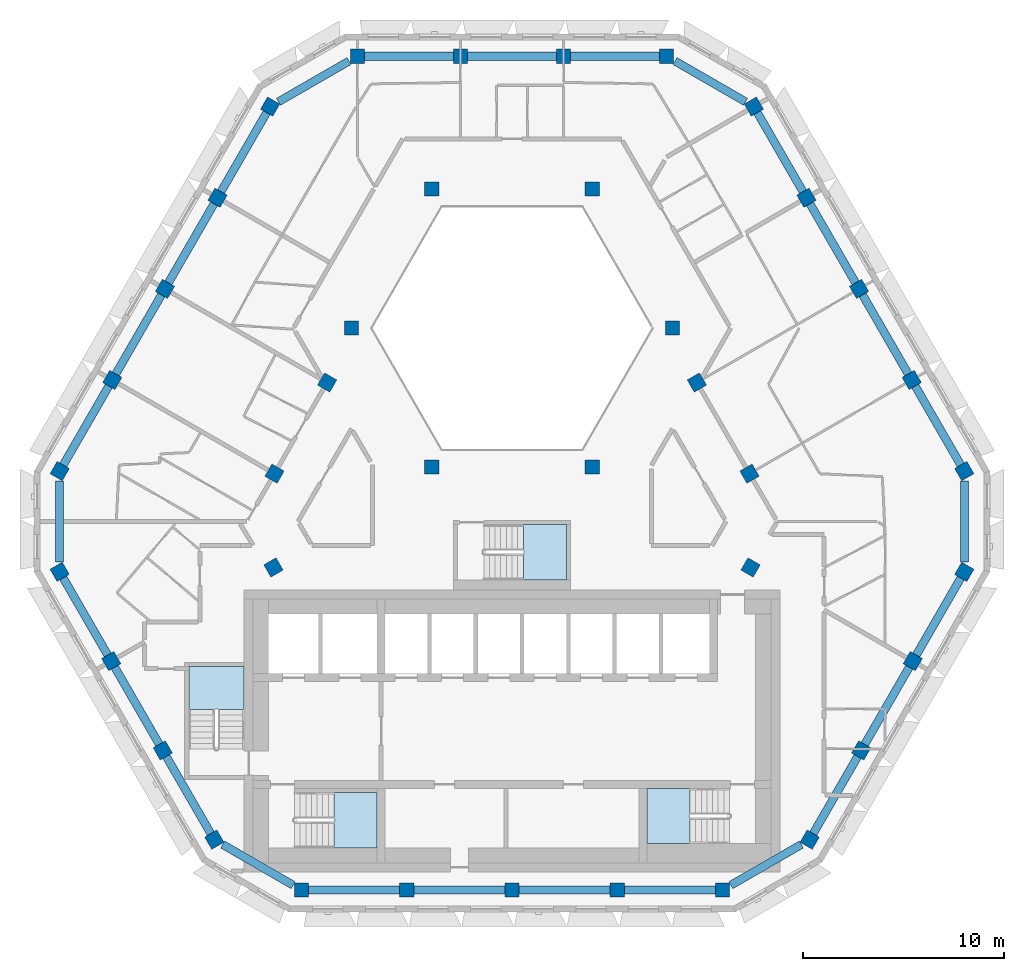
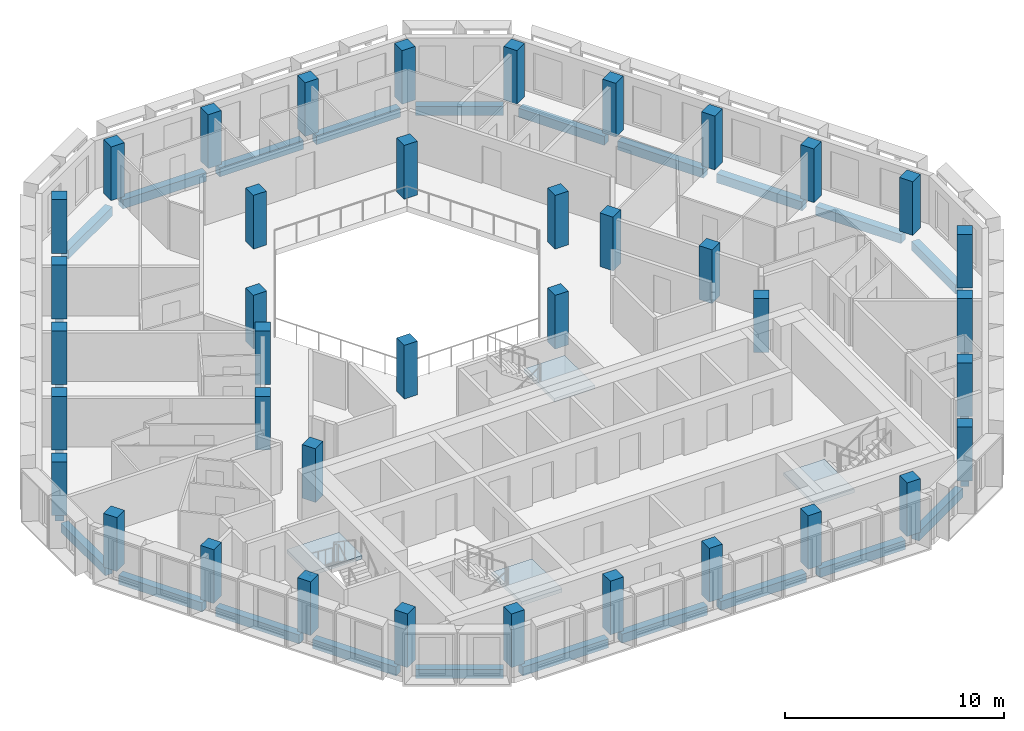
# One storey, part 1 of 16: 39 columns, 27 beams, 4 slabs, 4 elements without a shape of their own.
"""IFC4 building model written with IfcOpenShell, lengths in metres."""

from ifc_helpers import new_model, si_unit, direction, frame, origin, origin_2d, place, context, subcontext, project, spatial, polyline, rectangle, outline, extrude, material, layer, layer_set, material_profile, profile_set, type_object, element, aggregate, save


model = new_model("IFC4")

# Units and contexts
model_context = context("Model", 3, precision=1e-05, world=origin(), true_north=direction((0.0, 1.0)))
body_context = subcontext(model_context, "Body", "Model", "MODEL_VIEW")
ifc_project = project(units=[si_unit("LENGTHUNIT", "METRE"), si_unit("AREAUNIT", "SQUARE_METRE"), si_unit("VOLUMEUNIT", "CUBIC_METRE"), si_unit("PLANEANGLEUNIT", "RADIAN"), si_unit("MASSUNIT", "GRAM", prefix="KILO")], contexts=[model_context])

# Site, building, storey
site_placement = place(None, origin())
site = spatial("IfcSite", under=ifc_project, at=site_placement, CompositionType="ELEMENT")
building_placement = place(site_placement, origin())
building = spatial("IfcBuilding", under=site, at=building_placement, Name="Beryl Residences", CompositionType="ELEMENT")
storey_placement = place(building_placement, frame((0.0, 0.0, 214.800048828125)))
storey = spatial("IfcBuildingStorey", under=building, at=storey_placement, Name="L66", CompositionType="ELEMENT", Elevation=214.800048828125)

# Columns
ifc_material_1 = material(Name="Concrete C50/60", Category="concrete")
ifc_material_profile_1 = material_profile(ifc_material_1, rectangle(XDim=0.699951171875, YDim=0.699951171875, at=origin_2d()))
ifc_profile_set_1 = profile_set([ifc_material_profile_1], Name="Concrete C50/60")
column_type_1 = type_object("IfcColumnType", Name="C5 tube column 700 x 700 C50/60", PredefinedType="COLUMN", material=ifc_profile_set_1)
for number, where, z_axis, x_axis, name in (
    (1, (7.678955078125, 21.5, 0.0), (0.0, 0.0, 1.0), (-1.0, 0.0, 0.0), "C5-N1 L66"),
    (2, (2.56005859375, 21.5, 0.0), (0.0, 0.0, 1.0), (-1.0, 0.0, 0.0), "C5-N2 L66"),
    (3, (-2.55908203125, 21.5, 0.0), (0.0, 0.0, 1.0), (-1.0, 0.0, 0.0), "C5-N3 L66"),
    (4, (-7.677978515625, 21.5, 0.0), (0.0, 0.0, 1.0), (-1.0, 0.0, 0.0), "C5-N4 L66"),
    (5, (-12.009033203125, 19.0, 0.0), (0.0, 0.0, 1.0), (-0.499969769706, -0.866042856549, 0.0), "C5-NW1 L66"),
    (6, (-14.62109375, 14.47509765625, 0.0), (0.0, 0.0, 1.0), (-0.499969769706, -0.866042856549, 0.0), "C5-NW2 L66"),
    (7, (-17.23291015625, 9.949951171875, 0.0), (0.0, 0.0, 1.0), (-0.499969769706, -0.866042856549, 0.0), "C5-NW3 L66"),
    (8, (-19.845947265625, 5.425048828125, 0.0), (0.0, 0.0, 1.0), (-0.499969769706, -0.866042856549, 0.0), "C5-NW4 L66"),
    (9, (-22.4580078125, 0.89990234375, 0.0), (0.0, 0.0, 1.0), (-0.499969769706, -0.866042856549, 0.0), "C5-NW5 L66"),
    (10, (-22.458984375, -4.10009765625, 0.0), (0.0, 0.0, 1.0), (0.499984884929, -0.866034130299, 0.0), "C5-SW1 L66"),
    (11, (-19.89892578125, -8.532958984375, 0.0), (0.0, 0.0, 1.0), (0.499984884929, -0.866034130299, 0.0), "C5-SW2 L66"),
    (12, (-17.340087890625, -12.966064453125, 0.0), (0.0, 0.0, 1.0), (0.499984884929, -0.866034130299, 0.0), "C5-SW3 L66"),
    (13, (-14.781005859375, -17.39892578125, 0.0), (0.0, 0.0, 1.0), (0.499984884929, -0.866034130299, 0.0), "C5-SW4 L66"),
    (14, (-10.449951171875, -19.89990234375, 0.0), (0.0, 0.0, 1.0), (1.0, 0.0, 0.0), "C5-S1 L66"),
    (15, (-5.22509765625, -19.89990234375, 0.0), (0.0, 0.0, 1.0), (1.0, 0.0, 0.0), "C5-S2 L66"),
    (16, (0.0, -19.89990234375, 0.0), (0.0, 0.0, 1.0), (1.0, 0.0, 0.0), "C5-S3 L66"),
    (17, (5.22509765625, -19.89990234375, 0.0), (0.0, 0.0, 1.0), (1.0, 0.0, 0.0), "C5-S4 L66"),
    (18, (10.449951171875, -19.89990234375, 0.0), (0.0, 0.0, 1.0), (1.0, 0.0, 0.0), "C5-S5 L66"),
    (19, (14.780029296875, -17.39990234375, 0.0), (0.0, 0.0, 1.0), (0.499984884929, 0.866034130299, 0.0), "C5-SE1 L66"),
    (20, (17.339111328125, -12.967041015625, 0.0), (0.0, 0.0, 1.0), (0.499984884929, 0.866034130299, 0.0), "C5-SE2 L66"),
    (21, (19.89892578125, -8.533935546875, 0.0), (0.0, 0.0, 1.0), (0.499984884929, 0.866034130299, 0.0), "C5-SE3 L66"),
    (22, (22.4580078125, -4.10107421875, 0.0), (0.0, 0.0, 1.0), (0.499984884929, 0.866034130299, 0.0), "C5-SE4 L66"),
    (23, (22.4580078125, 0.89990234375, 0.0), (0.0, 0.0, 1.0), (-0.499969769706, 0.866042856549, 0.0), "C5-NE1 L66"),
    (24, (19.845947265625, 5.425048828125, 0.0), (0.0, 0.0, 1.0), (-0.499969769706, 0.866042856549, 0.0), "C5-NE2 L66"),
    (25, (17.23291015625, 9.949951171875, 0.0), (0.0, 0.0, 1.0), (-0.499969769706, 0.866042856549, 0.0), "C5-NE3 L66"),
    (26, (14.62109375, 14.47509765625, 0.0), (0.0, 0.0, 1.0), (-0.499969769706, 0.866042856549, 0.0), "C5-NE4 L66"),
    (27, (12.009033203125, 19.0, 0.0), (0.0, 0.0, 1.0), (-0.499969769706, 0.866042856549, 0.0), "C5-NE5 L66"),
):
    element("IfcColumn", number, at=place(storey_placement, frame(where, z_axis=z_axis, x_axis=x_axis)), inside=storey, type_object=column_type_1, Name=name, PredefinedType="COLUMN", context=body_context, shape_type="SweptSolid", body=[
        extrude(rectangle(XDim=0.699951171875, YDim=0.699951171875, at=origin_2d()), origin(), (0.0, 0.0, 1.0), 3.0),
    ])
ifc_material_2 = material(Name="Concrete C50/60", Category="concrete")
ifc_material_profile_2 = material_profile(ifc_material_2, rectangle(XDim=0.699951171875, YDim=0.699951171875, at=origin_2d()))
ifc_profile_set_2 = profile_set([ifc_material_profile_2], Name="Concrete C50/60")
column_type_2 = type_object("IfcColumnType", Name="IC5 interior column 700 x 700 C50/60", PredefinedType="COLUMN", material=ifc_profile_set_2)
for number, where, z_axis, x_axis, name in (
    (28, (-11.844970703125, -3.883056640625, 0.0), (0.0, 0.0, 1.0), (0.499984884929, -0.866034130299, 0.0), "IC5-M01 L66"),
    (29, (11.844970703125, -3.884033203125, 0.0), (0.0, 0.0, 1.0), (0.499984884929, 0.866034130299, 0.0), "IC5-M02 L66"),
    (30, (11.7919921875, 0.77490234375, 0.0), (0.0, 0.0, 1.0), (-0.499969769706, 0.866042856549, 0.0), "IC5-M03 L66"),
    (31, (3.98388671875, 1.10009765625, 0.0), (0.0, 0.0, 1.0), (1.0, 0.0, 0.0), "IC5-A04 L66"),
    (32, (9.178955078125, 5.300048828125, 0.0), (0.0, 0.0, 1.0), (-0.499969769706, 0.866042856549, 0.0), "IC5-M05 L66"),
    (33, (7.967041015625, 8.0, 0.0), (0.0, 0.0, 1.0), (1.0, 0.0, 0.0), "IC5-A06 L66"),
    (34, (3.98388671875, 14.89990234375, 0.0), (0.0, 0.0, 1.0), (1.0, 0.0, 0.0), "IC5-A07 L66"),
    (35, (-3.98388671875, 14.89990234375, 0.0), (0.0, 0.0, 1.0), (1.0, 0.0, 0.0), "IC5-A08 L66"),
    (36, (-7.967041015625, 8.0, 0.0), (0.0, 0.0, 1.0), (1.0, 0.0, 0.0), "IC5-A09 L66"),
    (37, (-9.178955078125, 5.300048828125, 0.0), (0.0, 0.0, 1.0), (-0.499969769706, -0.866042856549, 0.0), "IC5-M10 L66"),
    (38, (-3.98388671875, 1.10009765625, 0.0), (0.0, 0.0, 1.0), (1.0, 0.0, 0.0), "IC5-A11 L66"),
    (39, (-11.7919921875, 0.77490234375, 0.0), (0.0, 0.0, 1.0), (-0.499969769706, -0.866042856549, 0.0), "IC5-M12 L66"),
):
    element("IfcColumn", number, at=place(storey_placement, frame(where, z_axis=z_axis, x_axis=x_axis)), inside=storey, type_object=column_type_2, Name=name, PredefinedType="COLUMN", context=body_context, shape_type="SweptSolid", body=[
        extrude(rectangle(XDim=0.699951171875, YDim=0.699951171875, at=origin_2d()), origin(), (0.0, 0.0, 1.0), 3.0),
    ])

# Beams
ifc_material_3 = material(Name="Concrete C50/60", Category="concrete")
ifc_material_profile_3 = material_profile(ifc_material_3, rectangle(XDim=0.39990234375, YDim=0.5, at=origin_2d()))
ifc_profile_set_3 = profile_set([ifc_material_profile_3], Name="Concrete C50/60")
beam_type = type_object("IfcBeamType", Name="SB5 spandrel beam 400 x 500 C50/60", PredefinedType="SPANDREL", material=ifc_profile_set_3)
beam_1_placement = place(storey_placement, frame((7.3291015625, 21.5, -0.550048828125), z_axis=(-1.0, 0.0, 0.0), x_axis=(0.0, -1.0, 0.0)))
element("IfcBeam", 40, at=beam_1_placement, inside=storey, type_object=beam_type, Name="SB5 L66 N-0", PredefinedType="SPANDREL", context=body_context, shape_type="SweptSolid", body=[
    extrude(rectangle(XDim=0.39990234375, YDim=0.5, at=origin_2d()), origin(), (0.0, 0.0, 1.0), 4.419189453125),
])
for number, where, z_axis, x_axis, name in (
    (41, (2.2099609375, 21.5, -0.550048828125), (-1.0, 0.0, 0.0), (0.0, -1.0, 0.0), "SB5 L66 N-1"),
    (42, (-2.908935546875, 21.5, -0.550048828125), (-1.0, 0.0, 0.0), (0.0, -1.0, 0.0), "SB5 L66 N-2"),
):
    element("IfcBeam", number, at=place(storey_placement, frame(where, z_axis=z_axis, x_axis=x_axis)), inside=storey, type_object=beam_type, Name=name, PredefinedType="SPANDREL", context=body_context, shape_type="SweptSolid", body=[
        extrude(rectangle(XDim=0.39990234375, YDim=0.5, at=origin_2d()), origin(), (0.0, 0.0, 1.0), 4.4189453125),
    ])
beam_2_placement = place(storey_placement, frame((-8.092041015625, 21.260986328125, -0.550048828125), z_axis=(-0.866073013527, -0.499917528438, 0.0), x_axis=(0.499917528438, -0.866073013527, 0.0)))
element("IfcBeam", 43, at=beam_2_placement, inside=storey, type_object=beam_type, Name="SB5 L66 N-3", PredefinedType="SPANDREL", context=body_context, shape_type="SweptSolid", body=[
    extrude(rectangle(XDim=0.39990234375, YDim=0.5, at=origin_2d()), origin(), (0.0, 0.0, 1.0), 4.044677734375),
])
beam_3_placement = place(storey_placement, frame((-12.18408203125, 18.697021484375, -0.550048828125), z_axis=(-0.499893710643, -0.866086761277, 0.0), x_axis=(0.866086761277, -0.499893710643, 0.0)))
element("IfcBeam", 44, at=beam_3_placement, inside=storey, type_object=beam_type, Name="SB5 L66 NW-0", PredefinedType="SPANDREL", context=body_context, shape_type="SweptSolid", body=[
    extrude(rectangle(XDim=0.39990234375, YDim=0.5, at=origin_2d()), origin(), (0.0, 0.0, 1.0), 4.52490234375),
])
beam_4_placement = place(storey_placement, frame((-14.7958984375, 14.172119140625, -0.550048828125), z_axis=(-0.499910821401, -0.866076884951, 0.0), x_axis=(0.866076884951, -0.499910821401, 0.0)))
element("IfcBeam", 45, at=beam_4_placement, inside=storey, type_object=beam_type, Name="SB5 L66 NW-1", PredefinedType="SPANDREL", context=body_context, shape_type="SweptSolid", body=[
    extrude(rectangle(XDim=0.39990234375, YDim=0.5, at=origin_2d()), origin(), (0.0, 0.0, 1.0), 4.525146484375),
])
beam_5_placement = place(storey_placement, frame((-17.407958984375, 9.64697265625, -0.550048828125), z_axis=(-0.500055572588, -0.865993316558, 0.0), x_axis=(0.865993316558, -0.500055572588, 0.0)))
element("IfcBeam", 46, at=beam_5_placement, inside=storey, type_object=beam_type, Name="SB5 L66 NW-2", PredefinedType="SPANDREL", context=body_context, shape_type="SweptSolid", body=[
    extrude(rectangle(XDim=0.39990234375, YDim=0.5, at=origin_2d()), origin(), (0.0, 0.0, 1.0), 4.525390625),
])
beam_6_placement = place(storey_placement, frame((-20.02099609375, 5.1220703125, -0.550048828125), z_axis=(-0.499870351634, -0.866100243365, 0.0), x_axis=(0.866100243365, -0.499870351634, 0.0)))
element("IfcBeam", 47, at=beam_6_placement, inside=storey, type_object=beam_type, Name="SB5 L66 NW-3", PredefinedType="SPANDREL", context=body_context, shape_type="SweptSolid", body=[
    extrude(rectangle(XDim=0.39990234375, YDim=0.5, at=origin_2d()), origin(), (0.0, 0.0, 1.0), 4.525146484375),
])
beam_7_placement = place(storey_placement, frame((-22.4580078125, 0.422119140625, -0.550048828125), z_axis=(-0.000241472978, -0.999999970845, 0.0), x_axis=(0.999999970845, -0.000241472978, 0.0)))
element("IfcBeam", 48, at=beam_7_placement, inside=storey, type_object=beam_type, Name="SB5 L66 NW-4", PredefinedType="SPANDREL", context=body_context, shape_type="SweptSolid", body=[
    extrude(rectangle(XDim=0.39990234375, YDim=0.5, at=origin_2d()), origin(), (0.0, 0.0, 1.0), 4.044189453125),
])
beam_8_placement = place(storey_placement, frame((-22.283935546875, -4.403076171875, -0.550048828125), z_axis=(0.500084296963, -0.86597672944, 0.0), x_axis=(0.86597672944, 0.500084296963, 0.0)))
element("IfcBeam", 49, at=beam_8_placement, inside=storey, type_object=beam_type, Name="SB5 L66 SW-0", PredefinedType="SPANDREL", context=body_context, shape_type="SweptSolid", body=[
    extrude(rectangle(XDim=0.39990234375, YDim=0.5, at=origin_2d()), origin(), (0.0, 0.0, 1.0), 4.419189453125),
])
beam_9_placement = place(storey_placement, frame((-19.72412109375, -8.8359375, -0.550048828125), z_axis=(0.49993607075, -0.866062310208, 0.0), x_axis=(0.866062310208, 0.49993607075, 0.0)))
element("IfcBeam", 50, at=beam_9_placement, inside=storey, type_object=beam_type, Name="SB5 L66 SW-1", PredefinedType="SPANDREL", context=body_context, shape_type="SweptSolid", body=[
    extrude(rectangle(XDim=0.39990234375, YDim=0.5, at=origin_2d()), origin(), (0.0, 0.0, 1.0), 4.4189453125),
])
beam_10_placement = place(storey_placement, frame((-17.1650390625, -13.26904296875, -0.550048828125), z_axis=(0.499918550948, -0.86607242331, 0.0), x_axis=(0.86607242331, 0.499918550948, 0.0)))
element("IfcBeam", 51, at=beam_10_placement, inside=storey, type_object=beam_type, Name="SB5 L66 SW-2", PredefinedType="SPANDREL", context=body_context, shape_type="SweptSolid", body=[
    extrude(rectangle(XDim=0.39990234375, YDim=0.5, at=origin_2d()), origin(), (0.0, 0.0, 1.0), 4.418701171875),
])
beam_11_placement = place(storey_placement, frame((-14.366943359375, -17.637939453125, -0.550048828125), z_axis=(0.865968468779, -0.500098601359, 0.0), x_axis=(0.500098601359, 0.865968468779, 0.0)))
element("IfcBeam", 52, at=beam_11_placement, inside=storey, type_object=beam_type, Name="SB5 L66 SW-3", PredefinedType="SPANDREL", context=body_context, shape_type="SweptSolid", body=[
    extrude(rectangle(XDim=0.39990234375, YDim=0.5, at=origin_2d()), origin(), (0.0, 0.0, 1.0), 4.045166015625),
])
beam_12_placement = place(storey_placement, frame((-10.10009765625, -19.89990234375, -0.550048828125), z_axis=(1.0, 0.0, 0.0), x_axis=(0.0, 1.0, 0.0)))
element("IfcBeam", 53, at=beam_12_placement, inside=storey, type_object=beam_type, Name="SB5 L66 S-0", PredefinedType="SPANDREL", context=body_context, shape_type="SweptSolid", body=[
    extrude(rectangle(XDim=0.39990234375, YDim=0.5, at=origin_2d()), origin(), (0.0, 0.0, 1.0), 4.525146484375),
])
for number, where, z_axis, x_axis, name in (
    (54, (-4.875, -19.89990234375, -0.550048828125), (1.0, 0.0, 0.0), (0.0, 1.0, 0.0), "SB5 L66 S-1"),
    (55, (0.35009765625, -19.89990234375, -0.550048828125), (1.0, 0.0, 0.0), (0.0, 1.0, 0.0), "SB5 L66 S-2"),
):
    element("IfcBeam", number, at=place(storey_placement, frame(where, z_axis=z_axis, x_axis=x_axis)), inside=storey, type_object=beam_type, Name=name, PredefinedType="SPANDREL", context=body_context, shape_type="SweptSolid", body=[
        extrude(rectangle(XDim=0.39990234375, YDim=0.5, at=origin_2d()), origin(), (0.0, 0.0, 1.0), 4.52490234375),
    ])
beam_13_placement = place(storey_placement, frame((5.574951171875, -19.89990234375, -0.550048828125), z_axis=(1.0, 0.0, 0.0), x_axis=(0.0, 1.0, 0.0)))
element("IfcBeam", 56, at=beam_13_placement, inside=storey, type_object=beam_type, Name="SB5 L66 S-3", PredefinedType="SPANDREL", context=body_context, shape_type="SweptSolid", body=[
    extrude(rectangle(XDim=0.39990234375, YDim=0.5, at=origin_2d()), origin(), (0.0, 0.0, 1.0), 4.525146484375),
])
beam_14_placement = place(storey_placement, frame((10.864013671875, -19.660888671875, -0.550048828125), z_axis=(0.866012652573, 0.500022085096, 0.0), x_axis=(-0.500022085096, 0.866012652573, 0.0)))
element("IfcBeam", 57, at=beam_14_placement, inside=storey, type_object=beam_type, Name="SB5 L66 S-4", PredefinedType="SPANDREL", context=body_context, shape_type="SweptSolid", body=[
    extrude(rectangle(XDim=0.39990234375, YDim=0.5, at=origin_2d()), origin(), (0.0, 0.0, 1.0), 4.043701171875),
])
beam_15_placement = place(storey_placement, frame((14.955078125, -17.096923828125, -0.550048828125), z_axis=(0.499918550948, 0.86607242331, 0.0), x_axis=(-0.86607242331, 0.499918550948, 0.0)))
element("IfcBeam", 58, at=beam_15_placement, inside=storey, type_object=beam_type, Name="SB5 L66 SE-0", PredefinedType="SPANDREL", context=body_context, shape_type="SweptSolid", body=[
    extrude(rectangle(XDim=0.39990234375, YDim=0.5, at=origin_2d()), origin(), (0.0, 0.0, 1.0), 4.418701171875),
])
beam_16_placement = place(storey_placement, frame((17.513916015625, -12.6640625, -0.550048828125), z_axis=(0.500101800387, 0.865966621326, 0.0), x_axis=(-0.865966621326, 0.500101800387, 0.0)))
element("IfcBeam", 59, at=beam_16_placement, inside=storey, type_object=beam_type, Name="SB5 L66 SE-1", PredefinedType="SPANDREL", context=body_context, shape_type="SweptSolid", body=[
    extrude(rectangle(XDim=0.39990234375, YDim=0.5, at=origin_2d()), origin(), (0.0, 0.0, 1.0), 4.41943359375),
])
beam_17_placement = place(storey_placement, frame((20.073974609375, -8.23095703125, -0.550048828125), z_axis=(0.499918550948, 0.86607242331, 0.0), x_axis=(-0.86607242331, 0.499918550948, 0.0)))
element("IfcBeam", 60, at=beam_17_placement, inside=storey, type_object=beam_type, Name="SB5 L66 SE-2", PredefinedType="SPANDREL", context=body_context, shape_type="SweptSolid", body=[
    extrude(rectangle(XDim=0.39990234375, YDim=0.5, at=origin_2d()), origin(), (0.0, 0.0, 1.0), 4.418701171875),
])
beam_18_placement = place(storey_placement, frame((22.4580078125, -3.623046875, -0.550048828125), z_axis=(0.0, 1.0, 0.0), x_axis=(-1.0, 0.0, 0.0)))
element("IfcBeam", 61, at=beam_18_placement, inside=storey, type_object=beam_type, Name="SB5 L66 SE-3", PredefinedType="SPANDREL", context=body_context, shape_type="SweptSolid", body=[
    extrude(rectangle(XDim=0.39990234375, YDim=0.5, at=origin_2d()), origin(), (0.0, 0.0, 1.0), 4.045166015625),
])
beam_19_placement = place(storey_placement, frame((22.282958984375, 1.202880859375, -0.550048828125), z_axis=(-0.499870351634, 0.866100243365, 0.0), x_axis=(-0.866100243365, -0.499870351634, 0.0)))
element("IfcBeam", 62, at=beam_19_placement, inside=storey, type_object=beam_type, Name="SB5 L66 NE-0", PredefinedType="SPANDREL", context=body_context, shape_type="SweptSolid", body=[
    extrude(rectangle(XDim=0.39990234375, YDim=0.5, at=origin_2d()), origin(), (0.0, 0.0, 1.0), 4.525146484375),
])
beam_20_placement = place(storey_placement, frame((19.6708984375, 5.72802734375, -0.550048828125), z_axis=(-0.500055572588, 0.865993316558, 0.0), x_axis=(-0.865993316558, -0.500055572588, 0.0)))
element("IfcBeam", 63, at=beam_20_placement, inside=storey, type_object=beam_type, Name="SB5 L66 NE-1", PredefinedType="SPANDREL", context=body_context, shape_type="SweptSolid", body=[
    extrude(rectangle(XDim=0.39990234375, YDim=0.5, at=origin_2d()), origin(), (0.0, 0.0, 1.0), 4.525390625),
])
beam_21_placement = place(storey_placement, frame((17.05810546875, 10.2529296875, -0.550048828125), z_axis=(-0.499910821401, 0.866076884951, 0.0), x_axis=(-0.866076884951, -0.499910821401, 0.0)))
element("IfcBeam", 64, at=beam_21_placement, inside=storey, type_object=beam_type, Name="SB5 L66 NE-2", PredefinedType="SPANDREL", context=body_context, shape_type="SweptSolid", body=[
    extrude(rectangle(XDim=0.39990234375, YDim=0.5, at=origin_2d()), origin(), (0.0, 0.0, 1.0), 4.525146484375),
])
beam_22_placement = place(storey_placement, frame((14.446044921875, 14.778076171875, -0.550048828125), z_axis=(-0.499893710643, 0.866086761277, 0.0), x_axis=(-0.866086761277, -0.499893710643, 0.0)))
element("IfcBeam", 65, at=beam_22_placement, inside=storey, type_object=beam_type, Name="SB5 L66 NE-3", PredefinedType="SPANDREL", context=body_context, shape_type="SweptSolid", body=[
    extrude(rectangle(XDim=0.39990234375, YDim=0.5, at=origin_2d()), origin(), (0.0, 0.0, 1.0), 4.52490234375),
])
beam_23_placement = place(storey_placement, frame((11.594970703125, 19.239013671875, -0.550048828125), z_axis=(-0.866012652573, 0.500022085096, 0.0), x_axis=(-0.500022085096, -0.866012652573, 0.0)))
element("IfcBeam", 66, at=beam_23_placement, inside=storey, type_object=beam_type, Name="SB5 L66 NE-4", PredefinedType="SPANDREL", context=body_context, shape_type="SweptSolid", body=[
    extrude(rectangle(XDim=0.39990234375, YDim=0.5, at=origin_2d()), origin(), (0.0, 0.0, 1.0), 4.043701171875),
])

# Stair, slab
ifc_material_4 = material(Name="Concrete C40/50", Category="concrete")
stair_type = type_object("IfcStairType", Name="ST1 protected exit stair, half-turn, 1300 mm flights", PredefinedType="HALF_TURN_STAIR", material=ifc_material_4)
stair_1_placement = place(storey_placement, origin())
stair_1 = element("IfcStair", 67, at=stair_1_placement, inside=storey, type_object=stair_type, Name="L66 PROTECTED EXIT STAIR ST-1", PredefinedType="HALF_TURN_STAIR")
ifc_material_5 = material(Name="Concrete C40/50", Category="concrete")
ifc_layer = layer(ifc_material_5, 0.199951171875)
ifc_layer_set = layer_set([ifc_layer], Name="SLD1 stair landing 200 mm")
slab_type = type_object("IfcSlabType", Name="SLD1 stair landing 200 mm", PredefinedType="LANDING", material=ifc_layer_set)
slab_1_placement = place(storey_placement, frame((0.0, 0.0, 1.300048828125)))
slab_1 = element("IfcSlab", 68, at=slab_1_placement, type_object=slab_type, Name="ST-1 landing 1", PredefinedType="LANDING", context=body_context, shape_type="SweptSolid", body=[
    extrude(outline(polyline([(-8.840087890625, -17.800048828125), (-6.699951171875, -17.800048828125), (-6.699951171875, -15.050048828125), (-8.840087890625, -15.050048828125), (-8.840087890625, -17.800048828125)])), origin(), (0.0, 0.0, 1.0), 0.199951171875),
])
aggregate(stair_1, [slab_1])

stair_2_placement = place(storey_placement, origin())
stair_2 = element("IfcStair", 69, at=stair_2_placement, inside=storey, type_object=stair_type, Name="L66 PROTECTED EXIT STAIR ST-2", PredefinedType="HALF_TURN_STAIR")
slab_2_placement = place(storey_placement, frame((0.0, 0.0, 1.300048828125)))
slab_2 = element("IfcSlab", 70, at=slab_2_placement, type_object=slab_type, Name="ST-2 landing 1", PredefinedType="LANDING", context=body_context, shape_type="SweptSolid", body=[
    extrude(outline(polyline([(-13.300048828125, -10.93994140625), (-13.300048828125, -8.800048828125), (-16.050048828125, -8.800048828125), (-16.050048828125, -10.93994140625), (-13.300048828125, -10.93994140625)])), origin(), (0.0, 0.0, 1.0), 0.199951171875),
])
aggregate(stair_2, [slab_2])

stair_3_placement = place(storey_placement, origin())
stair_3 = element("IfcStair", 71, at=stair_3_placement, inside=storey, type_object=stair_type, Name="L66 PROTECTED EXIT STAIR ST-3", PredefinedType="HALF_TURN_STAIR")
slab_3_placement = place(storey_placement, frame((0.0, 0.0, 1.300048828125)))
slab_3 = element("IfcSlab", 72, at=slab_3_placement, type_object=slab_type, Name="ST-3 landing 1", PredefinedType="LANDING", context=body_context, shape_type="SweptSolid", body=[
    extrude(outline(polyline([(8.840087890625, -14.85009765625), (6.699951171875, -14.85009765625), (6.699951171875, -17.60009765625), (8.840087890625, -17.60009765625), (8.840087890625, -14.85009765625)])), origin(), (0.0, 0.0, 1.0), 0.199951171875),
])
aggregate(stair_3, [slab_3])

stair_4_placement = place(storey_placement, origin())
stair_4 = element("IfcStair", 73, at=stair_4_placement, inside=storey, type_object=stair_type, Name="L66 PROTECTED EXIT STAIR ST-4", PredefinedType="HALF_TURN_STAIR")
slab_4_placement = place(storey_placement, frame((0.0, 0.0, 1.300048828125)))
slab_4 = element("IfcSlab", 74, at=slab_4_placement, type_object=slab_type, Name="ST-4 landing 1", PredefinedType="LANDING", context=body_context, shape_type="SweptSolid", body=[
    extrude(outline(polyline([(0.56005859375, -4.5), (2.699951171875, -4.5), (2.699951171875, -1.75), (0.56005859375, -1.75), (0.56005859375, -4.5)])), origin(), (0.0, 0.0, 1.0), 0.199951171875),
])
aggregate(stair_4, [slab_4])

save(model, "model.ifc")
